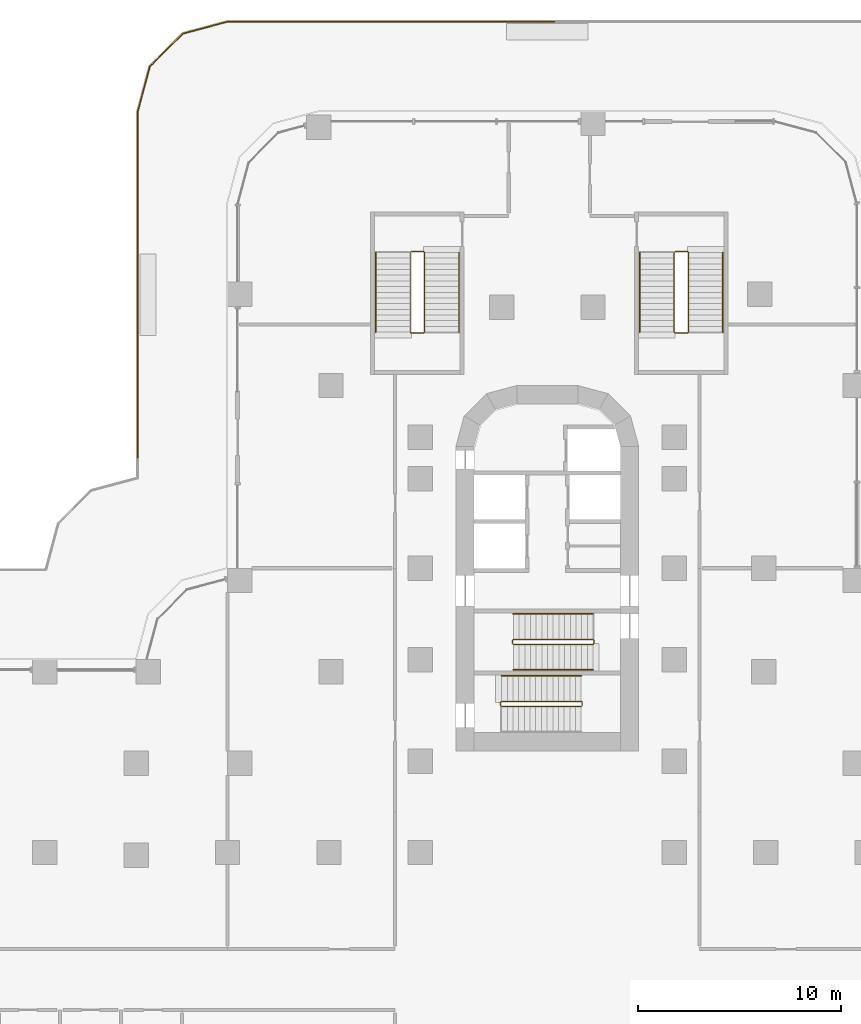
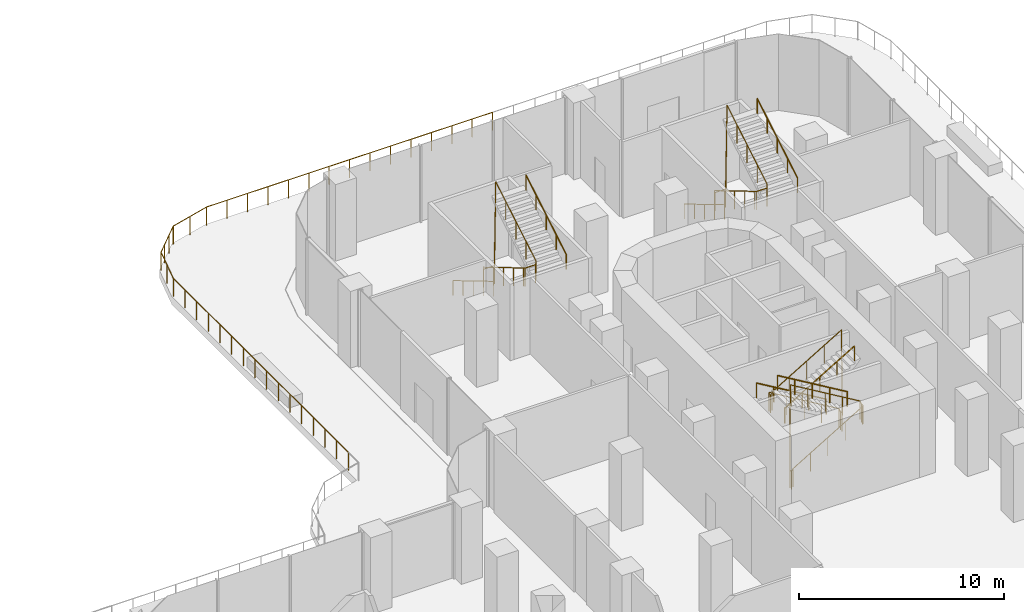
# One storey, part 25 of 27: 13 railings.
"""IFC4 building model written with IfcOpenShell, lengths in metres."""

from ifc_helpers import new_model, si_unit, direction, frame, origin, origin_2d, place, context, subcontext, project, spatial, circle, extrude, material, type_object, element, save


model = new_model("IFC4")

# Units and contexts
model_context = context("Model", 3, precision=1e-05, world=origin(), true_north=direction((0.0, 1.0)))
body_context = subcontext(model_context, "Body", "Model", "MODEL_VIEW")
ifc_project = project(units=[si_unit("LENGTHUNIT", "METRE"), si_unit("AREAUNIT", "SQUARE_METRE"), si_unit("VOLUMEUNIT", "CUBIC_METRE"), si_unit("PLANEANGLEUNIT", "RADIAN"), si_unit("MASSUNIT", "GRAM", prefix="KILO")], contexts=[model_context])

# Site, building, storey
site_placement = place(None, origin())
site = spatial("IfcSite", under=ifc_project, at=site_placement, CompositionType="ELEMENT")
building_placement = place(site_placement, origin())
building = spatial("IfcBuilding", under=site, at=building_placement, Name="Zarbagh Exchange Tower", CompositionType="ELEMENT")
storey_placement = place(building_placement, frame((0.0, 0.0, 17.0)))
storey = spatial("IfcBuildingStorey", under=building, at=storey_placement, Name="L03", CompositionType="ELEMENT", Elevation=17.0)

# Railings
ifc_material_1 = material(Name="Stainless steel", Category="steel")
railing_type_1 = type_object("IfcRailingType", Name="Stair guard 1100 mm", PredefinedType="GUARDRAIL", material=ifc_material_1)
railing_1_placement = place(storey_placement, frame((-1.669921875, 16.5, 2.666748046875)))
element("IfcRailing", 1, at=railing_1_placement, inside=storey, type_object=railing_type_1, Name="ST1 stair guard 1", PredefinedType="GUARDRAIL", context=body_context, shape_type="SweptSolid", body=[
    extrude(circle(Radius=0.02392578125, at=origin_2d()), frame((0.0, 0.0, 1.076171875), z_axis=(0.859296244711, 0.0, 0.511478214419), x_axis=(0.0, 1.0, 0.0)), (0.0, 0.0, 1.0), 4.561767578125),
    extrude(circle(Radius=0.02392578125, at=origin_2d()), frame((3.919921875, 0.0, 3.4091796875), z_axis=(0.010008762843, 0.010008762843, -0.999899819648), x_axis=(-0.707106781187, 0.707106781187, 0.0)), (0.0, 0.0, 1.0), 5.00048828125),
    extrude(circle(Radius=0.02392578125, at=origin_2d()), frame((3.969970703125, 0.050048828125, -1.5908203125), z_axis=(0.0, 1.0, 0.0), x_axis=(-1.0, 0.0, 0.0)), (0.0, 0.0, 1.0), 0.14990234375),
    extrude(circle(Radius=0.02392578125, at=origin_2d()), frame((3.969970703125, 0.199951171875, -1.5908203125), z_axis=(-0.27628659633, 0.27628659633, 0.920506074601), x_axis=(-0.707106781187, -0.707106781187, 0.0)), (0.0, 0.0, 1.0), 0.18115234375),
    extrude(circle(Radius=0.02392578125, at=origin_2d()), frame((3.919921875, 0.25, -1.423828125), z_axis=(-0.859296244711, 0.0, 0.511478214419), x_axis=(0.0, -1.0, 0.0)), (0.0, 0.0, 1.0), 4.561767578125),
    extrude(circle(Radius=0.02392578125, at=origin_2d()), frame((0.0, 0.25, 0.9091796875), z_axis=(-0.707106781187, -0.707106781187, 0.0), x_axis=(0.707106781187, -0.707106781187, 0.0)), (0.0, 0.0, 1.0), 0.07080078125),
    extrude(circle(Radius=0.02392578125, at=origin_2d()), frame((-0.050048828125, 0.199951171875, 0.9091796875), z_axis=(0.0, -1.0, 0.0), x_axis=(1.0, 0.0, 0.0)), (0.0, 0.0, 1.0), 0.14990234375),
    extrude(circle(Radius=0.02099609375, at=origin_2d()), origin(), (0.0, 0.0, 1.0), 1.052001953125),
    extrude(circle(Radius=0.02099609375, at=origin_2d()), frame((0.97998046875, 0.0, 0.583251953125)), (0.0, 0.0, 1.0), 1.052001953125),
    extrude(circle(Radius=0.02099609375, at=origin_2d()), frame((1.9599609375, 0.0, 1.16650390625)), (0.0, 0.0, 1.0), 1.052001953125),
    extrude(circle(Radius=0.02099609375, at=origin_2d()), frame((2.93994140625, 0.0, 1.75)), (0.0, 0.0, 1.0), 1.052001953125),
    extrude(circle(Radius=0.02099609375, at=origin_2d()), frame((3.919921875, 0.0, 2.333251953125)), (0.0, 0.0, 1.0), 1.052001953125),
    extrude(circle(Radius=0.02099609375, at=origin_2d()), frame((3.929931640625, 0.010009765625, 1.333251953125)), (0.0, 0.0, 1.0), 1.052001953125),
    extrude(circle(Radius=0.02099609375, at=origin_2d()), frame((3.93994140625, 0.02001953125, 0.333251953125)), (0.0, 0.0, 1.0), 1.052001953125),
    extrude(circle(Radius=0.02099609375, at=origin_2d()), frame((3.949951171875, 0.030029296875, -0.666748046875)), (0.0, 0.0, 1.0), 1.052001953125),
    extrude(circle(Radius=0.02099609375, at=origin_2d()), frame((3.9599609375, 0.0400390625, -1.666748046875)), (0.0, 0.0, 1.0), 1.052001953125),
    extrude(circle(Radius=0.02099609375, at=origin_2d()), frame((3.969970703125, 0.050048828125, -2.666748046875)), (0.0, 0.0, 1.0), 1.052001953125),
    extrude(circle(Radius=0.02099609375, at=origin_2d()), frame((3.969970703125, 0.199951171875, -2.666748046875)), (0.0, 0.0, 1.0), 1.052001953125),
    extrude(circle(Radius=0.02099609375, at=origin_2d()), frame((3.919921875, 0.25, -2.5)), (0.0, 0.0, 1.0), 1.052001953125),
    extrude(circle(Radius=0.02099609375, at=origin_2d()), frame((2.93994140625, 0.25, -1.916748046875)), (0.0, 0.0, 1.0), 1.052001953125),
    extrude(circle(Radius=0.02099609375, at=origin_2d()), frame((1.9599609375, 0.25, -1.33349609375)), (0.0, 0.0, 1.0), 1.052001953125),
    extrude(circle(Radius=0.02099609375, at=origin_2d()), frame((0.97998046875, 0.25, -0.75)), (0.0, 0.0, 1.0), 1.052001953125),
    extrude(circle(Radius=0.02099609375, at=origin_2d()), frame((0.0, 0.25, -0.166748046875)), (0.0, 0.0, 1.0), 1.052001953125),
    extrude(circle(Radius=0.02099609375, at=origin_2d()), frame((-0.050048828125, 0.199951171875, -0.166748046875)), (0.0, 0.0, 1.0), 1.052001953125),
    extrude(circle(Radius=0.02099609375, at=origin_2d()), frame((-0.050048828125, 0.050048828125, -0.166748046875)), (0.0, 0.0, 1.0), 1.052001953125),
])
railing_2_placement = place(storey_placement, frame((1.719970703125, 13.5, 2.5)))
element("IfcRailing", 2, at=railing_2_placement, inside=storey, type_object=railing_type_1, Name="ST2 stair guard 1", PredefinedType="GUARDRAIL", context=body_context, shape_type="SweptSolid", body=[
    extrude(circle(Radius=0.02392578125, at=origin_2d()), frame((0.0, 0.0, 1.076171875), z_axis=(0.0, 1.0, 0.0), x_axis=(-1.0, 0.0, 0.0)), (0.0, 0.0, 1.0), 0.14990234375),
    extrude(circle(Radius=0.02392578125, at=origin_2d()), frame((0.0, 0.14990234375, 1.076171875), z_axis=(-0.27628659633, 0.27628659633, 0.920506074601), x_axis=(-0.707106781187, -0.707106781187, 0.0)), (0.0, 0.0, 1.0), 0.18115234375),
    extrude(circle(Radius=0.02392578125, at=origin_2d()), frame((-0.050048828125, 0.199951171875, 1.24267578125), z_axis=(-0.859296244711, 0.0, 0.511478214419), x_axis=(0.0, -1.0, 0.0)), (0.0, 0.0, 1.0), 4.561767578125),
    extrude(circle(Radius=0.02392578125, at=origin_2d()), frame((-3.969970703125, 0.199951171875, 3.576171875), z_axis=(-0.010008762843, -0.010008762843, -0.999899819648), x_axis=(0.707106781187, -0.707106781187, 0.0)), (0.0, 0.0, 1.0), 5.00048828125),
    extrude(circle(Radius=0.02392578125, at=origin_2d()), frame((-4.02001953125, 0.14990234375, -1.423828125), z_axis=(0.0, -1.0, 0.0), x_axis=(1.0, 0.0, 0.0)), (0.0, 0.0, 1.0), 0.14990234375),
    extrude(circle(Radius=0.02392578125, at=origin_2d()), frame((-4.02001953125, 0.0, -1.423828125), z_axis=(0.27628659633, -0.27628659633, 0.920506074601), x_axis=(0.707106781187, 0.707106781187, 0.0)), (0.0, 0.0, 1.0), 0.18115234375),
    extrude(circle(Radius=0.02392578125, at=origin_2d()), frame((-3.969970703125, -0.050048828125, -1.25732421875), z_axis=(0.859296244711, 0.0, 0.511478214419), x_axis=(0.0, 1.0, 0.0)), (0.0, 0.0, 1.0), 4.561767578125),
    extrude(circle(Radius=0.02099609375, at=origin_2d()), origin(), (0.0, 0.0, 1.0), 1.052001953125),
    extrude(circle(Radius=0.02099609375, at=origin_2d()), frame((0.0, 0.14990234375, 0.0)), (0.0, 0.0, 1.0), 1.052001953125),
    extrude(circle(Radius=0.02099609375, at=origin_2d()), frame((-0.050048828125, 0.199951171875, 0.166748046875)), (0.0, 0.0, 1.0), 1.052001953125),
    extrude(circle(Radius=0.02099609375, at=origin_2d()), frame((-1.030029296875, 0.199951171875, 0.75)), (0.0, 0.0, 1.0), 1.052001953125),
    extrude(circle(Radius=0.02099609375, at=origin_2d()), frame((-2.010009765625, 0.199951171875, 1.33349609375)), (0.0, 0.0, 1.0), 1.052001953125),
    extrude(circle(Radius=0.02099609375, at=origin_2d()), frame((-2.989990234375, 0.199951171875, 1.916748046875)), (0.0, 0.0, 1.0), 1.052001953125),
    extrude(circle(Radius=0.02099609375, at=origin_2d()), frame((-3.969970703125, 0.199951171875, 2.5)), (0.0, 0.0, 1.0), 1.052001953125),
    extrude(circle(Radius=0.02099609375, at=origin_2d()), frame((-3.97998046875, 0.18994140625, 1.5)), (0.0, 0.0, 1.0), 1.052001953125),
    extrude(circle(Radius=0.02099609375, at=origin_2d()), frame((-3.989990234375, 0.179931640625, 0.5)), (0.0, 0.0, 1.0), 1.052001953125),
    extrude(circle(Radius=0.02099609375, at=origin_2d()), frame((-4.0, 0.169921875, -0.5)), (0.0, 0.0, 1.0), 1.052001953125),
    extrude(circle(Radius=0.02099609375, at=origin_2d()), frame((-4.010009765625, 0.159912109375, -1.5)), (0.0, 0.0, 1.0), 1.052001953125),
    extrude(circle(Radius=0.02099609375, at=origin_2d()), frame((-4.02001953125, 0.14990234375, -2.5)), (0.0, 0.0, 1.0), 1.052001953125),
    extrude(circle(Radius=0.02099609375, at=origin_2d()), frame((-4.02001953125, 0.0, -2.5)), (0.0, 0.0, 1.0), 1.052001953125),
    extrude(circle(Radius=0.02099609375, at=origin_2d()), frame((-3.969970703125, -0.050048828125, -2.333251953125)), (0.0, 0.0, 1.0), 1.052001953125),
    extrude(circle(Radius=0.02099609375, at=origin_2d()), frame((-2.989990234375, -0.050048828125, -1.75)), (0.0, 0.0, 1.0), 1.052001953125),
    extrude(circle(Radius=0.02099609375, at=origin_2d()), frame((-2.010009765625, -0.050048828125, -1.16650390625)), (0.0, 0.0, 1.0), 1.052001953125),
    extrude(circle(Radius=0.02099609375, at=origin_2d()), frame((-1.030029296875, -0.050048828125, -0.583251953125)), (0.0, 0.0, 1.0), 1.052001953125),
    extrude(circle(Radius=0.02099609375, at=origin_2d()), frame((-0.050048828125, -0.050048828125, 0.0)), (0.0, 0.0, 1.0), 1.052001953125),
])
railing_3_placement = place(storey_placement, frame((-6.75, 35.800048828125, 0.166748046875)))
element("IfcRailing", 3, at=railing_3_placement, inside=storey, type_object=railing_type_1, Name="PS1 stair guard 1", PredefinedType="GUARDRAIL", context=body_context, shape_type="SweptSolid", body=[
    extrude(circle(Radius=0.02392578125, at=origin_2d()), frame((0.0, 0.0, 1.076171875), z_axis=(0.0, -0.859310244771, 0.511454693235), x_axis=(1.0, 0.0, 0.0)), (0.0, 0.0, 1.0), 4.56201171875),
    extrude(circle(Radius=0.02392578125, at=origin_2d()), frame((0.0, -3.920166015625, 3.4091796875), z_axis=(0.708833529934, -0.705375805398, 0.0), x_axis=(0.705375805398, 0.708833529934, 0.0)), (0.0, 0.0, 1.0), 0.070556640625),
    extrude(circle(Radius=0.02392578125, at=origin_2d()), frame((0.050048828125, -3.969970703125, 3.4091796875), z_axis=(1.0, 0.0, 0.0), x_axis=(0.0, 1.0, 0.0)), (0.0, 0.0, 1.0), 0.599853515625),
    extrude(circle(Radius=0.02392578125, at=origin_2d()), frame((0.64990234375, -3.969970703125, 3.4091796875), z_axis=(0.276389281352, 0.275041040955, 0.920848191041), x_axis=(-0.705375805398, 0.708833529934, 0.0)), (0.0, 0.0, 1.0), 0.18115234375),
    extrude(circle(Radius=0.02392578125, at=origin_2d()), frame((0.699951171875, -3.920166015625, 3.576171875), z_axis=(0.0, 0.859310244771, 0.511454693235), x_axis=(-1.0, 0.0, 0.0)), (0.0, 0.0, 1.0), 4.56201171875),
    extrude(circle(Radius=0.02392578125, at=origin_2d()), frame((0.699951171875, 0.0, 5.9091796875), z_axis=(-0.010008762843, 0.010008762843, -0.999899819648), x_axis=(-0.707106781187, -0.707106781187, 0.0)), (0.0, 0.0, 1.0), 5.00048828125),
    extrude(circle(Radius=0.02392578125, at=origin_2d()), frame((0.64990234375, 0.050048828125, 0.9091796875), z_axis=(-1.0, 0.0, 0.0), x_axis=(0.0, -1.0, 0.0)), (0.0, 0.0, 1.0), 0.599853515625),
    extrude(circle(Radius=0.02099609375, at=origin_2d()), origin(), (0.0, 0.0, 1.0), 1.052001953125),
    extrude(circle(Radius=0.02099609375, at=origin_2d()), frame((0.0, -0.97998046875, 0.583251953125)), (0.0, 0.0, 1.0), 1.052001953125),
    extrude(circle(Radius=0.02099609375, at=origin_2d()), frame((0.0, -1.9599609375, 1.16650390625)), (0.0, 0.0, 1.0), 1.052001953125),
    extrude(circle(Radius=0.02099609375, at=origin_2d()), frame((0.0, -2.940185546875, 1.75)), (0.0, 0.0, 1.0), 1.052001953125),
    extrude(circle(Radius=0.02099609375, at=origin_2d()), frame((0.0, -3.920166015625, 2.333251953125)), (0.0, 0.0, 1.0), 1.052001953125),
    extrude(circle(Radius=0.02099609375, at=origin_2d()), frame((0.050048828125, -3.969970703125, 2.333251953125)), (0.0, 0.0, 1.0), 1.052001953125),
    extrude(circle(Radius=0.02099609375, at=origin_2d()), frame((0.64990234375, -3.969970703125, 2.333251953125)), (0.0, 0.0, 1.0), 1.052001953125),
    extrude(circle(Radius=0.02099609375, at=origin_2d()), frame((0.699951171875, -3.920166015625, 2.5)), (0.0, 0.0, 1.0), 1.052001953125),
    extrude(circle(Radius=0.02099609375, at=origin_2d()), frame((0.699951171875, -2.940185546875, 3.083251953125)), (0.0, 0.0, 1.0), 1.052001953125),
    extrude(circle(Radius=0.02099609375, at=origin_2d()), frame((0.699951171875, -1.9599609375, 3.66650390625)), (0.0, 0.0, 1.0), 1.052001953125),
    extrude(circle(Radius=0.02099609375, at=origin_2d()), frame((0.699951171875, -0.97998046875, 4.25)), (0.0, 0.0, 1.0), 1.052001953125),
    extrude(circle(Radius=0.02099609375, at=origin_2d()), frame((0.699951171875, 0.0, 4.833251953125)), (0.0, 0.0, 1.0), 1.052001953125),
    extrude(circle(Radius=0.02099609375, at=origin_2d()), frame((0.68994140625, 0.010009765625, 3.833251953125)), (0.0, 0.0, 1.0), 1.052001953125),
    extrude(circle(Radius=0.02099609375, at=origin_2d()), frame((0.679931640625, 0.02001953125, 2.833251953125)), (0.0, 0.0, 1.0), 1.052001953125),
    extrude(circle(Radius=0.02099609375, at=origin_2d()), frame((0.669921875, 0.030029296875, 1.833251953125)), (0.0, 0.0, 1.0), 1.052001953125),
    extrude(circle(Radius=0.02099609375, at=origin_2d()), frame((0.659912109375, 0.0400390625, 0.833251953125)), (0.0, 0.0, 1.0), 1.052001953125),
    extrude(circle(Radius=0.02099609375, at=origin_2d()), frame((0.64990234375, 0.050048828125, -0.166748046875)), (0.0, 0.0, 1.0), 1.052001953125),
    extrude(circle(Radius=0.02099609375, at=origin_2d()), frame((0.050048828125, 0.050048828125, -0.166748046875)), (0.0, 0.0, 1.0), 1.052001953125),
])
railing_4_placement = place(storey_placement, frame((6.25, 35.800048828125, 0.166748046875)))
element("IfcRailing", 4, at=railing_4_placement, inside=storey, type_object=railing_type_1, Name="PS2 stair guard 1", PredefinedType="GUARDRAIL", context=body_context, shape_type="SweptSolid", body=[
    extrude(circle(Radius=0.02392578125, at=origin_2d()), frame((0.0, 0.0, 1.076171875), z_axis=(0.0, -0.859310244771, 0.511454693235), x_axis=(1.0, 0.0, 0.0)), (0.0, 0.0, 1.0), 4.56201171875),
    extrude(circle(Radius=0.02392578125, at=origin_2d()), frame((0.0, -3.920166015625, 3.4091796875), z_axis=(0.708833529934, -0.705375805398, 0.0), x_axis=(0.705375805398, 0.708833529934, 0.0)), (0.0, 0.0, 1.0), 0.070556640625),
    extrude(circle(Radius=0.02392578125, at=origin_2d()), frame((0.050048828125, -3.969970703125, 3.4091796875), z_axis=(1.0, 0.0, 0.0), x_axis=(0.0, 1.0, 0.0)), (0.0, 0.0, 1.0), 0.599853515625),
    extrude(circle(Radius=0.02392578125, at=origin_2d()), frame((0.64990234375, -3.969970703125, 3.4091796875), z_axis=(0.276389281352, 0.275041040955, 0.920848191041), x_axis=(-0.705375805398, 0.708833529934, 0.0)), (0.0, 0.0, 1.0), 0.18115234375),
    extrude(circle(Radius=0.02392578125, at=origin_2d()), frame((0.699951171875, -3.920166015625, 3.576171875), z_axis=(0.0, 0.859310244771, 0.511454693235), x_axis=(-1.0, 0.0, 0.0)), (0.0, 0.0, 1.0), 4.56201171875),
    extrude(circle(Radius=0.02392578125, at=origin_2d()), frame((0.699951171875, 0.0, 5.9091796875), z_axis=(-0.010008762843, 0.010008762843, -0.999899819648), x_axis=(-0.707106781187, -0.707106781187, 0.0)), (0.0, 0.0, 1.0), 5.00048828125),
    extrude(circle(Radius=0.02392578125, at=origin_2d()), frame((0.64990234375, 0.050048828125, 0.9091796875), z_axis=(-1.0, 0.0, 0.0), x_axis=(0.0, -1.0, 0.0)), (0.0, 0.0, 1.0), 0.599853515625),
    extrude(circle(Radius=0.02099609375, at=origin_2d()), origin(), (0.0, 0.0, 1.0), 1.052001953125),
    extrude(circle(Radius=0.02099609375, at=origin_2d()), frame((0.0, -0.97998046875, 0.583251953125)), (0.0, 0.0, 1.0), 1.052001953125),
    extrude(circle(Radius=0.02099609375, at=origin_2d()), frame((0.0, -1.9599609375, 1.16650390625)), (0.0, 0.0, 1.0), 1.052001953125),
    extrude(circle(Radius=0.02099609375, at=origin_2d()), frame((0.0, -2.940185546875, 1.75)), (0.0, 0.0, 1.0), 1.052001953125),
    extrude(circle(Radius=0.02099609375, at=origin_2d()), frame((0.0, -3.920166015625, 2.333251953125)), (0.0, 0.0, 1.0), 1.052001953125),
    extrude(circle(Radius=0.02099609375, at=origin_2d()), frame((0.050048828125, -3.969970703125, 2.333251953125)), (0.0, 0.0, 1.0), 1.052001953125),
    extrude(circle(Radius=0.02099609375, at=origin_2d()), frame((0.64990234375, -3.969970703125, 2.333251953125)), (0.0, 0.0, 1.0), 1.052001953125),
    extrude(circle(Radius=0.02099609375, at=origin_2d()), frame((0.699951171875, -3.920166015625, 2.5)), (0.0, 0.0, 1.0), 1.052001953125),
    extrude(circle(Radius=0.02099609375, at=origin_2d()), frame((0.699951171875, -2.940185546875, 3.083251953125)), (0.0, 0.0, 1.0), 1.052001953125),
    extrude(circle(Radius=0.02099609375, at=origin_2d()), frame((0.699951171875, -1.9599609375, 3.66650390625)), (0.0, 0.0, 1.0), 1.052001953125),
    extrude(circle(Radius=0.02099609375, at=origin_2d()), frame((0.699951171875, -0.97998046875, 4.25)), (0.0, 0.0, 1.0), 1.052001953125),
    extrude(circle(Radius=0.02099609375, at=origin_2d()), frame((0.699951171875, 0.0, 4.833251953125)), (0.0, 0.0, 1.0), 1.052001953125),
    extrude(circle(Radius=0.02099609375, at=origin_2d()), frame((0.68994140625, 0.010009765625, 3.833251953125)), (0.0, 0.0, 1.0), 1.052001953125),
    extrude(circle(Radius=0.02099609375, at=origin_2d()), frame((0.679931640625, 0.02001953125, 2.833251953125)), (0.0, 0.0, 1.0), 1.052001953125),
    extrude(circle(Radius=0.02099609375, at=origin_2d()), frame((0.669921875, 0.030029296875, 1.833251953125)), (0.0, 0.0, 1.0), 1.052001953125),
    extrude(circle(Radius=0.02099609375, at=origin_2d()), frame((0.659912109375, 0.0400390625, 0.833251953125)), (0.0, 0.0, 1.0), 1.052001953125),
    extrude(circle(Radius=0.02099609375, at=origin_2d()), frame((0.64990234375, 0.050048828125, -0.166748046875)), (0.0, 0.0, 1.0), 1.052001953125),
    extrude(circle(Radius=0.02099609375, at=origin_2d()), frame((0.050048828125, 0.050048828125, -0.166748046875)), (0.0, 0.0, 1.0), 1.052001953125),
])
railing_type_2 = type_object("IfcRailingType", Name="Stair handrail 900 mm", PredefinedType="HANDRAIL", material=ifc_material_1)
railing_5_placement = place(storey_placement, frame((2.25, 18.0, 0.166748046875)))
element("IfcRailing", 5, at=railing_5_placement, inside=storey, type_object=railing_type_2, Name="ST1 stair handrail 1", PredefinedType="HANDRAIL", context=body_context, shape_type="SweptSolid", body=[
    extrude(circle(Radius=0.02392578125, at=origin_2d()), frame((0.0, 0.0, 0.8759765625), z_axis=(-0.859296244711, 0.0, 0.511478214419), x_axis=(0.0, -1.0, 0.0)), (0.0, 0.0, 1.0), 4.561767578125),
    extrude(circle(Radius=0.02099609375, at=origin_2d()), origin(), (0.0, 0.0, 1.0), 0.851806640625),
    extrude(circle(Radius=0.02099609375, at=origin_2d()), frame((-0.97998046875, 0.0, 0.583251953125)), (0.0, 0.0, 1.0), 0.851806640625),
    extrude(circle(Radius=0.02099609375, at=origin_2d()), frame((-1.9599609375, 0.0, 1.16650390625)), (0.0, 0.0, 1.0), 0.851806640625),
    extrude(circle(Radius=0.02099609375, at=origin_2d()), frame((-2.93994140625, 0.0, 1.75)), (0.0, 0.0, 1.0), 0.851806640625),
    extrude(circle(Radius=0.02099609375, at=origin_2d()), frame((-3.919921875, 0.0, 2.333251953125)), (0.0, 0.0, 1.0), 0.851806640625),
])
railing_6_placement = place(storey_placement, frame((-1.669921875, 15.25, 2.666748046875)))
element("IfcRailing", 6, at=railing_6_placement, inside=storey, type_object=railing_type_2, Name="ST1 stair handrail 2", PredefinedType="HANDRAIL", context=body_context, shape_type="SweptSolid", body=[
    extrude(circle(Radius=0.02392578125, at=origin_2d()), frame((0.0, 0.0, 0.8759765625), z_axis=(0.859296244711, 0.0, 0.511478214419), x_axis=(0.0, 1.0, 0.0)), (0.0, 0.0, 1.0), 4.561767578125),
    extrude(circle(Radius=0.02099609375, at=origin_2d()), origin(), (0.0, 0.0, 1.0), 0.851806640625),
    extrude(circle(Radius=0.02099609375, at=origin_2d()), frame((0.97998046875, 0.0, 0.583251953125)), (0.0, 0.0, 1.0), 0.851806640625),
    extrude(circle(Radius=0.02099609375, at=origin_2d()), frame((1.9599609375, 0.0, 1.16650390625)), (0.0, 0.0, 1.0), 0.851806640625),
    extrude(circle(Radius=0.02099609375, at=origin_2d()), frame((2.93994140625, 0.0, 1.75)), (0.0, 0.0, 1.0), 0.851806640625),
    extrude(circle(Radius=0.02099609375, at=origin_2d()), frame((3.919921875, 0.0, 2.333251953125)), (0.0, 0.0, 1.0), 0.851806640625),
])
railing_7_placement = place(storey_placement, frame((1.669921875, 14.949951171875, 2.666748046875)))
element("IfcRailing", 7, at=railing_7_placement, inside=storey, type_object=railing_type_2, Name="ST2 stair handrail 2", PredefinedType="HANDRAIL", context=body_context, shape_type="SweptSolid", body=[
    extrude(circle(Radius=0.02392578125, at=origin_2d()), frame((0.0, 0.0, 0.8759765625), z_axis=(-0.859296244711, 0.0, 0.511478214419), x_axis=(0.0, -1.0, 0.0)), (0.0, 0.0, 1.0), 4.561767578125),
    extrude(circle(Radius=0.02099609375, at=origin_2d()), origin(), (0.0, 0.0, 1.0), 0.851806640625),
    extrude(circle(Radius=0.02099609375, at=origin_2d()), frame((-0.97998046875, 0.0, 0.583251953125)), (0.0, 0.0, 1.0), 0.851806640625),
    extrude(circle(Radius=0.02099609375, at=origin_2d()), frame((-1.9599609375, 0.0, 1.16650390625)), (0.0, 0.0, 1.0), 0.851806640625),
    extrude(circle(Radius=0.02099609375, at=origin_2d()), frame((-2.93994140625, 0.0, 1.75)), (0.0, 0.0, 1.0), 0.851806640625),
    extrude(circle(Radius=0.02099609375, at=origin_2d()), frame((-3.919921875, 0.0, 2.333251953125)), (0.0, 0.0, 1.0), 0.851806640625),
])
railing_8_placement = place(storey_placement, frame((-8.449951171875, 35.800048828125, 0.166748046875)))
element("IfcRailing", 8, at=railing_8_placement, inside=storey, type_object=railing_type_2, Name="PS1 stair handrail 1", PredefinedType="HANDRAIL", context=body_context, shape_type="SweptSolid", body=[
    extrude(circle(Radius=0.02392578125, at=origin_2d()), frame((0.0, 0.0, 0.8759765625), z_axis=(0.0, -0.859310244771, 0.511454693235), x_axis=(1.0, 0.0, 0.0)), (0.0, 0.0, 1.0), 4.56201171875),
    extrude(circle(Radius=0.02099609375, at=origin_2d()), origin(), (0.0, 0.0, 1.0), 0.851806640625),
    extrude(circle(Radius=0.02099609375, at=origin_2d()), frame((0.0, -0.97998046875, 0.583251953125)), (0.0, 0.0, 1.0), 0.851806640625),
    extrude(circle(Radius=0.02099609375, at=origin_2d()), frame((0.0, -1.9599609375, 1.16650390625)), (0.0, 0.0, 1.0), 0.851806640625),
    extrude(circle(Radius=0.02099609375, at=origin_2d()), frame((0.0, -2.940185546875, 1.75)), (0.0, 0.0, 1.0), 0.851806640625),
    extrude(circle(Radius=0.02099609375, at=origin_2d()), frame((0.0, -3.920166015625, 2.333251953125)), (0.0, 0.0, 1.0), 0.851806640625),
])
railing_9_placement = place(storey_placement, frame((-4.35009765625, 31.8798828125, 2.666748046875)))
element("IfcRailing", 9, at=railing_9_placement, inside=storey, type_object=railing_type_2, Name="PS1 stair handrail 2", PredefinedType="HANDRAIL", context=body_context, shape_type="SweptSolid", body=[
    extrude(circle(Radius=0.02392578125, at=origin_2d()), frame((0.0, 0.0, 0.8759765625), z_axis=(0.0, 0.859310244771, 0.511454693235), x_axis=(-1.0, 0.0, 0.0)), (0.0, 0.0, 1.0), 4.56201171875),
    extrude(circle(Radius=0.02099609375, at=origin_2d()), origin(), (0.0, 0.0, 1.0), 0.851806640625),
    extrude(circle(Radius=0.02099609375, at=origin_2d()), frame((0.0, 0.97998046875, 0.583251953125)), (0.0, 0.0, 1.0), 0.851806640625),
    extrude(circle(Radius=0.02099609375, at=origin_2d()), frame((0.0, 1.9599609375, 1.16650390625)), (0.0, 0.0, 1.0), 0.851806640625),
    extrude(circle(Radius=0.02099609375, at=origin_2d()), frame((0.0, 2.940185546875, 1.75)), (0.0, 0.0, 1.0), 0.851806640625),
    extrude(circle(Radius=0.02099609375, at=origin_2d()), frame((0.0, 3.920166015625, 2.333251953125)), (0.0, 0.0, 1.0), 0.851806640625),
])
railing_10_placement = place(storey_placement, frame((4.550048828125, 35.800048828125, 0.166748046875)))
element("IfcRailing", 10, at=railing_10_placement, inside=storey, type_object=railing_type_2, Name="PS2 stair handrail 1", PredefinedType="HANDRAIL", context=body_context, shape_type="SweptSolid", body=[
    extrude(circle(Radius=0.02392578125, at=origin_2d()), frame((0.0, 0.0, 0.8759765625), z_axis=(0.0, -0.859310244771, 0.511454693235), x_axis=(1.0, 0.0, 0.0)), (0.0, 0.0, 1.0), 4.56201171875),
    extrude(circle(Radius=0.02099609375, at=origin_2d()), origin(), (0.0, 0.0, 1.0), 0.851806640625),
    extrude(circle(Radius=0.02099609375, at=origin_2d()), frame((0.0, -0.97998046875, 0.583251953125)), (0.0, 0.0, 1.0), 0.851806640625),
    extrude(circle(Radius=0.02099609375, at=origin_2d()), frame((0.0, -1.9599609375, 1.16650390625)), (0.0, 0.0, 1.0), 0.851806640625),
    extrude(circle(Radius=0.02099609375, at=origin_2d()), frame((0.0, -2.940185546875, 1.75)), (0.0, 0.0, 1.0), 0.851806640625),
    extrude(circle(Radius=0.02099609375, at=origin_2d()), frame((0.0, -3.920166015625, 2.333251953125)), (0.0, 0.0, 1.0), 0.851806640625),
])
railing_11_placement = place(storey_placement, frame((8.64990234375, 31.8798828125, 2.666748046875)))
element("IfcRailing", 11, at=railing_11_placement, inside=storey, type_object=railing_type_2, Name="PS2 stair handrail 2", PredefinedType="HANDRAIL", context=body_context, shape_type="SweptSolid", body=[
    extrude(circle(Radius=0.02392578125, at=origin_2d()), frame((0.0, 0.0, 0.8759765625), z_axis=(0.0, 0.859310244771, 0.511454693235), x_axis=(-1.0, 0.0, 0.0)), (0.0, 0.0, 1.0), 4.56201171875),
    extrude(circle(Radius=0.02099609375, at=origin_2d()), origin(), (0.0, 0.0, 1.0), 0.851806640625),
    extrude(circle(Radius=0.02099609375, at=origin_2d()), frame((0.0, 0.97998046875, 0.583251953125)), (0.0, 0.0, 1.0), 0.851806640625),
    extrude(circle(Radius=0.02099609375, at=origin_2d()), frame((0.0, 1.9599609375, 1.16650390625)), (0.0, 0.0, 1.0), 0.851806640625),
    extrude(circle(Radius=0.02099609375, at=origin_2d()), frame((0.0, 2.940185546875, 1.75)), (0.0, 0.0, 1.0), 0.851806640625),
    extrude(circle(Radius=0.02099609375, at=origin_2d()), frame((0.0, 3.920166015625, 2.333251953125)), (0.0, 0.0, 1.0), 0.851806640625),
])
ifc_material_2 = material(Name="Stainless steel and laminated glass", Category="steel")
railing_type_3 = type_object("IfcRailingType", Name="Terrace guard, glass balustrade 1.1 m", PredefinedType="GUARDRAIL", material=ifc_material_2)
railing_12_placement = place(storey_placement, frame((-20.169921875, 25.70068359375, 0.0)))
element("IfcRailing", 12, at=railing_12_placement, inside=storey, type_object=railing_type_3, Name="TG01 terrace guard", PredefinedType="GUARDRAIL", context=body_context, shape_type="SweptSolid", body=[
    extrude(circle(Radius=0.02490234375, at=origin_2d()), frame((0.0, 0.0, 1.0751953125), z_axis=(0.0, 1.0, 0.0), x_axis=(-1.0, 0.0, 0.0)), (0.0, 0.0, 1.0), 17.038818359375),
    extrude(circle(Radius=0.02490234375, at=origin_2d()), frame((0.0, 17.038818359375, 1.0751953125), z_axis=(0.258780353152, 0.965936192935, 0.0), x_axis=(-0.965936192935, 0.258780353152, 0.0)), (0.0, 0.0, 1.0), 2.29736328125),
    extrude(circle(Radius=0.02490234375, at=origin_2d()), frame((0.594482421875, 19.2578125, 1.0751953125), z_axis=(0.707106781187, 0.707106781187, 0.0), x_axis=(-0.707106781187, 0.707106781187, 0.0)), (0.0, 0.0, 1.0), 0.6640625),
    extrude(circle(Radius=0.02490234375, at=origin_2d()), origin(), (0.0, 0.0, 1.0), 1.050048828125),
    extrude(circle(Radius=0.02490234375, at=origin_2d()), frame((0.0, 1.135986328125, 0.0)), (0.0, 0.0, 1.0), 1.050048828125),
    extrude(circle(Radius=0.02490234375, at=origin_2d()), frame((0.0, 2.271728515625, 0.0)), (0.0, 0.0, 1.0), 1.050048828125),
    extrude(circle(Radius=0.02490234375, at=origin_2d()), frame((0.0, 3.40771484375, 0.0)), (0.0, 0.0, 1.0), 1.050048828125),
    extrude(circle(Radius=0.02490234375, at=origin_2d()), frame((0.0, 4.543701171875, 0.0)), (0.0, 0.0, 1.0), 1.050048828125),
    extrude(circle(Radius=0.02490234375, at=origin_2d()), frame((0.0, 5.6796875, 0.0)), (0.0, 0.0, 1.0), 1.050048828125),
    extrude(circle(Radius=0.02490234375, at=origin_2d()), frame((0.0, 6.8154296875, 0.0)), (0.0, 0.0, 1.0), 1.050048828125),
    extrude(circle(Radius=0.02490234375, at=origin_2d()), frame((0.0, 7.951416015625, 0.0)), (0.0, 0.0, 1.0), 1.050048828125),
    extrude(circle(Radius=0.02490234375, at=origin_2d()), frame((0.0, 9.08740234375, 0.0)), (0.0, 0.0, 1.0), 1.050048828125),
    extrude(circle(Radius=0.02490234375, at=origin_2d()), frame((0.0, 10.223388671875, 0.0)), (0.0, 0.0, 1.0), 1.050048828125),
    extrude(circle(Radius=0.02490234375, at=origin_2d()), frame((0.0, 11.359130859375, 0.0)), (0.0, 0.0, 1.0), 1.050048828125),
    extrude(circle(Radius=0.02490234375, at=origin_2d()), frame((0.0, 12.4951171875, 0.0)), (0.0, 0.0, 1.0), 1.050048828125),
    extrude(circle(Radius=0.02490234375, at=origin_2d()), frame((0.0, 13.631103515625, 0.0)), (0.0, 0.0, 1.0), 1.050048828125),
    extrude(circle(Radius=0.02490234375, at=origin_2d()), frame((0.0, 14.76708984375, 0.0)), (0.0, 0.0, 1.0), 1.050048828125),
    extrude(circle(Radius=0.02490234375, at=origin_2d()), frame((0.0, 15.90283203125, 0.0)), (0.0, 0.0, 1.0), 1.050048828125),
    extrude(circle(Radius=0.02490234375, at=origin_2d()), frame((0.0, 17.038818359375, 0.0)), (0.0, 0.0, 1.0), 1.050048828125),
    extrude(circle(Radius=0.02490234375, at=origin_2d()), frame((0.29736328125, 18.1484375, 0.0)), (0.0, 0.0, 1.0), 1.050048828125),
    extrude(circle(Radius=0.02490234375, at=origin_2d()), frame((0.594482421875, 19.2578125, 0.0)), (0.0, 0.0, 1.0), 1.050048828125),
    extrude(circle(Radius=0.02490234375, at=origin_2d()), frame((1.06396484375, 19.727294921875, 0.0)), (0.0, 0.0, 1.0), 1.050048828125),
])
railing_13_placement = place(storey_placement, frame((-19.10595703125, 45.427978515625, 0.0)))
element("IfcRailing", 13, at=railing_13_placement, inside=storey, type_object=railing_type_3, Name="TG01 terrace guard", PredefinedType="GUARDRAIL", context=body_context, shape_type="SweptSolid", body=[
    extrude(circle(Radius=0.02490234375, at=origin_2d()), frame((0.0, 0.0, 1.0751953125), z_axis=(0.707106781187, 0.707106781187, 0.0), x_axis=(-0.707106781187, 0.707106781187, 0.0)), (0.0, 0.0, 1.0), 1.622802734375),
    extrude(circle(Radius=0.02490234375, at=origin_2d()), frame((1.1474609375, 1.1474609375, 1.0751953125), z_axis=(0.965936192935, 0.258780353152, 0.0), x_axis=(-0.258780353152, 0.965936192935, 0.0)), (0.0, 0.0, 1.0), 2.29736328125),
    extrude(circle(Radius=0.02490234375, at=origin_2d()), frame((3.366455078125, 1.741943359375, 1.0751953125), z_axis=(1.0, 0.0, 0.0), x_axis=(0.0, 1.0, 0.0)), (0.0, 0.0, 1.0), 16.079833984375),
    extrude(circle(Radius=0.02490234375, at=origin_2d()), origin(), (0.0, 0.0, 1.0), 1.050048828125),
    extrude(circle(Radius=0.02490234375, at=origin_2d()), frame((0.57373046875, 0.57373046875, 0.0)), (0.0, 0.0, 1.0), 1.050048828125),
    extrude(circle(Radius=0.02490234375, at=origin_2d()), frame((1.1474609375, 1.1474609375, 0.0)), (0.0, 0.0, 1.0), 1.050048828125),
    extrude(circle(Radius=0.02490234375, at=origin_2d()), frame((2.2568359375, 1.44482421875, 0.0)), (0.0, 0.0, 1.0), 1.050048828125),
    extrude(circle(Radius=0.02490234375, at=origin_2d()), frame((3.366455078125, 1.741943359375, 0.0)), (0.0, 0.0, 1.0), 1.050048828125),
    extrude(circle(Radius=0.02490234375, at=origin_2d()), frame((4.51513671875, 1.741943359375, 0.0)), (0.0, 0.0, 1.0), 1.050048828125),
    extrude(circle(Radius=0.02490234375, at=origin_2d()), frame((5.66357421875, 1.741943359375, 0.0)), (0.0, 0.0, 1.0), 1.050048828125),
    extrude(circle(Radius=0.02490234375, at=origin_2d()), frame((6.81201171875, 1.741943359375, 0.0)), (0.0, 0.0, 1.0), 1.050048828125),
    extrude(circle(Radius=0.02490234375, at=origin_2d()), frame((7.960693359375, 1.741943359375, 0.0)), (0.0, 0.0, 1.0), 1.050048828125),
    extrude(circle(Radius=0.02490234375, at=origin_2d()), frame((9.109375, 1.741943359375, 0.0)), (0.0, 0.0, 1.0), 1.050048828125),
    extrude(circle(Radius=0.02490234375, at=origin_2d()), frame((10.2578125, 1.741943359375, 0.0)), (0.0, 0.0, 1.0), 1.050048828125),
    extrude(circle(Radius=0.02490234375, at=origin_2d()), frame((11.40625, 1.741943359375, 0.0)), (0.0, 0.0, 1.0), 1.050048828125),
    extrude(circle(Radius=0.02490234375, at=origin_2d()), frame((12.554931640625, 1.741943359375, 0.0)), (0.0, 0.0, 1.0), 1.050048828125),
    extrude(circle(Radius=0.02490234375, at=origin_2d()), frame((13.70361328125, 1.741943359375, 0.0)), (0.0, 0.0, 1.0), 1.050048828125),
    extrude(circle(Radius=0.02490234375, at=origin_2d()), frame((14.85205078125, 1.741943359375, 0.0)), (0.0, 0.0, 1.0), 1.050048828125),
    extrude(circle(Radius=0.02490234375, at=origin_2d()), frame((16.00048828125, 1.741943359375, 0.0)), (0.0, 0.0, 1.0), 1.050048828125),
    extrude(circle(Radius=0.02490234375, at=origin_2d()), frame((17.149169921875, 1.741943359375, 0.0)), (0.0, 0.0, 1.0), 1.050048828125),
    extrude(circle(Radius=0.02490234375, at=origin_2d()), frame((18.2978515625, 1.741943359375, 0.0)), (0.0, 0.0, 1.0), 1.050048828125),
    extrude(circle(Radius=0.02490234375, at=origin_2d()), frame((19.4462890625, 1.741943359375, 0.0)), (0.0, 0.0, 1.0), 1.050048828125),
])

save(model, "model.ifc")
